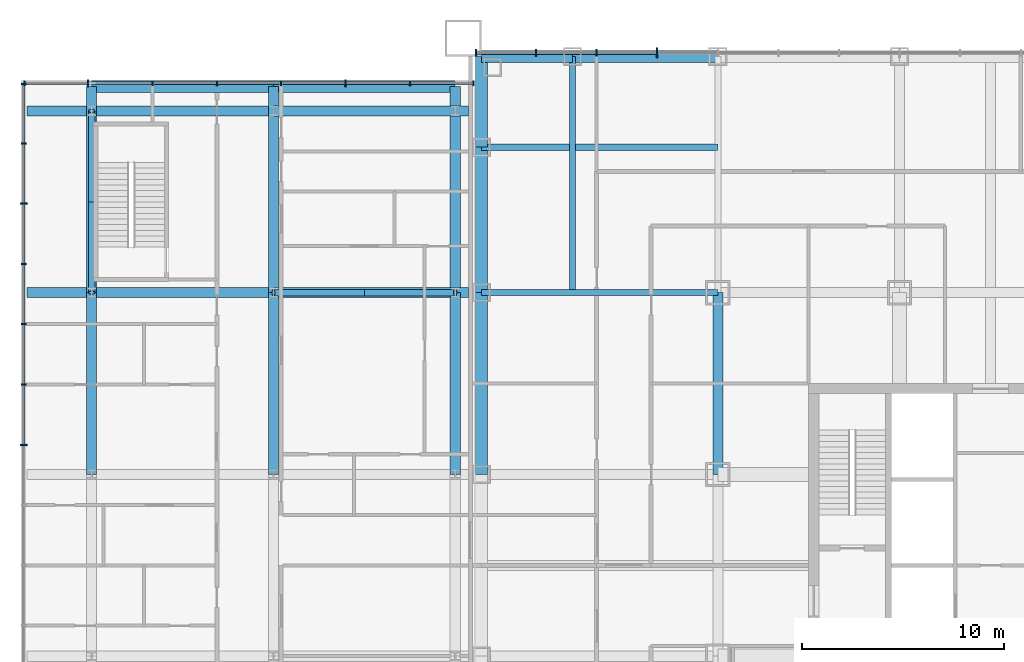
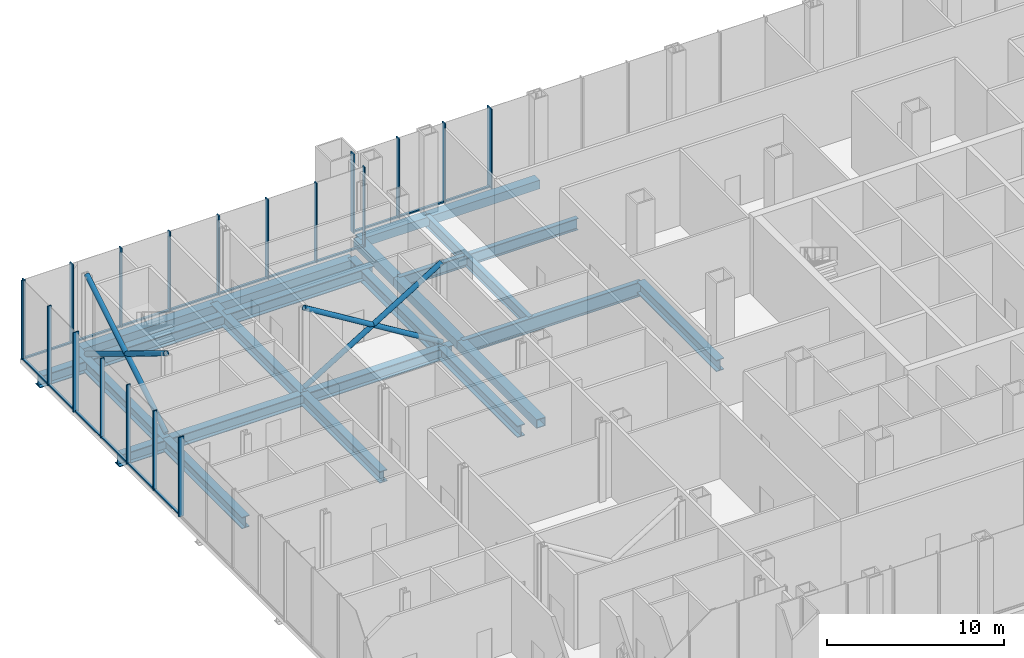
# One storey, part 5 of 25: 39 members, 21 beams, 3 elements without a shape of their own.
"""IFC4 building model written with IfcOpenShell, lengths in metres."""

from ifc_helpers import new_model, si_unit, direction, frame, origin, origin_2d, place, context, subcontext, project, spatial, rectangle, hollow_rectangle, hollow_circle, i_section, extrude, material, layer, layer_set, material_profile, profile_set, type_object, element, aggregate, save


model = new_model("IFC4")

# Units and contexts
model_context = context("Model", 3, precision=1e-05, world=origin(), true_north=direction((0.0, 1.0)))
body_context = subcontext(model_context, "Body", "Model", "MODEL_VIEW")
ifc_project = project(units=[si_unit("LENGTHUNIT", "METRE"), si_unit("AREAUNIT", "SQUARE_METRE"), si_unit("VOLUMEUNIT", "CUBIC_METRE"), si_unit("PLANEANGLEUNIT", "RADIAN"), si_unit("MASSUNIT", "GRAM", prefix="KILO")], contexts=[model_context])

# Site, building, storey
site_placement = place(None, origin())
site = spatial("IfcSite", under=ifc_project, at=site_placement, CompositionType="ELEMENT")
building_placement = place(site_placement, origin())
building = spatial("IfcBuilding", under=site, at=building_placement, Name="Malebo Sky Hospital", CompositionType="ELEMENT")
storey_placement = place(building_placement, frame((0.0, 0.0, 11.0)))
storey = spatial("IfcBuildingStorey", under=building, at=storey_placement, Name="L02", CompositionType="ELEMENT", Elevation=11.0)

# Curtain wall, members
ifc_material_1 = material(Name="Anodised aluminium, natural silver", Category="aluminium")
ifc_layer_1 = layer(ifc_material_1, 0.25)
ifc_layer_set_1 = layer_set([ifc_layer_1], Name="PODIUM CURTAIN WALL")
curtain_wall_type_1 = type_object("IfcCurtainWallType", Name="PODIUM CURTAIN WALL", PredefinedType="NOTDEFINED", material=ifc_layer_set_1)
curtain_wall_1_placement = place(storey_placement, origin())
curtain_wall_1 = element("IfcCurtainWall", 1, at=curtain_wall_1_placement, inside=storey, type_object=curtain_wall_type_1, Name="POD curtain wall WW", PredefinedType="NOTDEFINED")
ifc_material_profile_1 = material_profile(ifc_material_1, rectangle(XDim=0.14990234375, YDim=0.10009765625, at=origin_2d()), Name="ALUMINIUM TRANSOM 150x100")
ifc_profile_set_1 = profile_set([ifc_material_profile_1], Name="Anodised aluminium, natural silver")
member_type_1 = type_object("IfcMemberType", Name="ALUMINIUM TRANSOM 150x100", PredefinedType="USERDEFINED", material=ifc_profile_set_1)
member_1_placement = place(storey_placement, frame((12.125, 85.800048828125, 0.050048828125), z_axis=(0.0, -1.0, 0.0), x_axis=(1.0, 0.0, 0.0)))
member_1 = element("IfcMember", 2, at=member_1_placement, type_object=member_type_1, Name="Transom 1", ObjectType="TRANSOM", PredefinedType="USERDEFINED", context=body_context, shape_type="SweptSolid", body=[
    extrude(rectangle(XDim=0.14990234375, YDim=0.10009765625, at=origin_2d()), origin(), (0.0, 0.0, 1.0), 2.8720703125),
])
member_2_placement = place(storey_placement, frame((12.125, 82.85302734375, 0.050048828125), z_axis=(0.0, -1.0, 0.0), x_axis=(1.0, 0.0, 0.0)))
member_2 = element("IfcMember", 3, at=member_2_placement, type_object=member_type_1, Name="Transom 2", ObjectType="TRANSOM", PredefinedType="USERDEFINED", context=body_context, shape_type="SweptSolid", body=[
    extrude(rectangle(XDim=0.14990234375, YDim=0.10009765625, at=origin_2d()), origin(), (0.0, 0.0, 1.0), 2.909423828125),
])
member_3_placement = place(storey_placement, frame((12.125, 79.86865234375, 0.050048828125), z_axis=(0.0, -1.0, 0.0), x_axis=(1.0, 0.0, 0.0)))
member_3 = element("IfcMember", 4, at=member_3_placement, type_object=member_type_1, Name="Transom 3", ObjectType="TRANSOM", PredefinedType="USERDEFINED", context=body_context, shape_type="SweptSolid", body=[
    extrude(rectangle(XDim=0.14990234375, YDim=0.10009765625, at=origin_2d()), origin(), (0.0, 0.0, 1.0), 2.9091796875),
])
member_4_placement = place(storey_placement, frame((12.125, 76.884521484375, 0.050048828125), z_axis=(0.0, -1.0, 0.0), x_axis=(1.0, 0.0, 0.0)))
member_4 = element("IfcMember", 5, at=member_4_placement, type_object=member_type_1, Name="Transom 4", ObjectType="TRANSOM", PredefinedType="USERDEFINED", context=body_context, shape_type="SweptSolid", body=[
    extrude(rectangle(XDim=0.14990234375, YDim=0.10009765625, at=origin_2d()), origin(), (0.0, 0.0, 1.0), 2.909423828125),
])
member_5_placement = place(storey_placement, frame((12.125, 73.89990234375, 0.050048828125), z_axis=(0.0, -1.0, 0.0), x_axis=(1.0, 0.0, 0.0)))
member_5 = element("IfcMember", 6, at=member_5_placement, type_object=member_type_1, Name="Transom 5", ObjectType="TRANSOM", PredefinedType="USERDEFINED", context=body_context, shape_type="SweptSolid", body=[
    extrude(rectangle(XDim=0.14990234375, YDim=0.10009765625, at=origin_2d()), origin(), (0.0, 0.0, 1.0), 2.909423828125),
])
member_6_placement = place(storey_placement, frame((12.125, 70.91552734375, 0.050048828125), z_axis=(0.0, -1.0, 0.0), x_axis=(1.0, 0.0, 0.0)))
member_6 = element("IfcMember", 7, at=member_6_placement, type_object=member_type_1, Name="Transom 6", ObjectType="TRANSOM", PredefinedType="USERDEFINED", context=body_context, shape_type="SweptSolid", body=[
    extrude(rectangle(XDim=0.14990234375, YDim=0.10009765625, at=origin_2d()), origin(), (0.0, 0.0, 1.0), 2.9091796875),
])

curtain_wall_2_placement = place(storey_placement, origin())
curtain_wall_2 = element("IfcCurtainWall", 8, at=curtain_wall_2_placement, inside=storey, type_object=curtain_wall_type_1, Name="POD curtain wall WN", PredefinedType="NOTDEFINED")
member_7_placement = place(storey_placement, frame((34.375, 85.875, 0.050048828125), z_axis=(-1.0, 0.0, 0.0), x_axis=(0.0, -1.0, 0.0)))
member_7 = element("IfcMember", 9, at=member_7_placement, type_object=member_type_1, Name="Transom 1", ObjectType="TRANSOM", PredefinedType="USERDEFINED", context=body_context, shape_type="SweptSolid", body=[
    extrude(rectangle(XDim=0.14990234375, YDim=0.10009765625, at=origin_2d()), origin(), (0.0, 0.0, 1.0), 3.076904296875),
])
member_8_placement = place(storey_placement, frame((31.22314453125, 85.875, 0.050048828125), z_axis=(-1.0, 0.0, 0.0), x_axis=(0.0, -1.0, 0.0)))
member_8 = element("IfcMember", 10, at=member_8_placement, type_object=member_type_1, Name="Transom 2", ObjectType="TRANSOM", PredefinedType="USERDEFINED", context=body_context, shape_type="SweptSolid", body=[
    extrude(rectangle(XDim=0.14990234375, YDim=0.10009765625, at=origin_2d()), origin(), (0.0, 0.0, 1.0), 3.1142578125),
])
member_9_placement = place(storey_placement, frame((28.033935546875, 85.875, 0.050048828125), z_axis=(-1.0, 0.0, 0.0), x_axis=(0.0, -1.0, 0.0)))
member_9 = element("IfcMember", 11, at=member_9_placement, type_object=member_type_1, Name="Transom 3", ObjectType="TRANSOM", PredefinedType="USERDEFINED", context=body_context, shape_type="SweptSolid", body=[
    extrude(rectangle(XDim=0.14990234375, YDim=0.10009765625, at=origin_2d()), origin(), (0.0, 0.0, 1.0), 3.1142578125),
])
member_10_placement = place(storey_placement, frame((24.844482421875, 85.875, 0.050048828125), z_axis=(-1.0, 0.0, 0.0), x_axis=(0.0, -1.0, 0.0)))
member_10 = element("IfcMember", 12, at=member_10_placement, type_object=member_type_1, Name="Transom 4", ObjectType="TRANSOM", PredefinedType="USERDEFINED", context=body_context, shape_type="SweptSolid", body=[
    extrude(rectangle(XDim=0.14990234375, YDim=0.10009765625, at=origin_2d()), origin(), (0.0, 0.0, 1.0), 3.114013671875),
])
member_11_placement = place(storey_placement, frame((21.655517578125, 85.875, 0.050048828125), z_axis=(-1.0, 0.0, 0.0), x_axis=(0.0, -1.0, 0.0)))
member_11 = element("IfcMember", 13, at=member_11_placement, type_object=member_type_1, Name="Transom 5", ObjectType="TRANSOM", PredefinedType="USERDEFINED", context=body_context, shape_type="SweptSolid", body=[
    extrude(rectangle(XDim=0.14990234375, YDim=0.10009765625, at=origin_2d()), origin(), (0.0, 0.0, 1.0), 3.114501953125),
])
member_12_placement = place(storey_placement, frame((18.466064453125, 85.875, 0.050048828125), z_axis=(-1.0, 0.0, 0.0), x_axis=(0.0, -1.0, 0.0)))
member_12 = element("IfcMember", 14, at=member_12_placement, type_object=member_type_1, Name="Transom 6", ObjectType="TRANSOM", PredefinedType="USERDEFINED", context=body_context, shape_type="SweptSolid", body=[
    extrude(rectangle(XDim=0.14990234375, YDim=0.10009765625, at=origin_2d()), origin(), (0.0, 0.0, 1.0), 3.1142578125),
])
member_13_placement = place(storey_placement, frame((15.27685546875, 85.875, 0.050048828125), z_axis=(-1.0, 0.0, 0.0), x_axis=(0.0, -1.0, 0.0)))
member_13 = element("IfcMember", 15, at=member_13_placement, type_object=member_type_1, Name="Transom 7", ObjectType="TRANSOM", PredefinedType="USERDEFINED", context=body_context, shape_type="SweptSolid", body=[
    extrude(rectangle(XDim=0.14990234375, YDim=0.10009765625, at=origin_2d()), origin(), (0.0, 0.0, 1.0), 3.076904296875),
])

ifc_layer_2 = layer(ifc_material_1, 0.25)
ifc_layer_set_2 = layer_set([ifc_layer_2], Name="PODIUM ENTRANCE BAY CURTAIN WALL")
curtain_wall_type_2 = type_object("IfcCurtainWallType", Name="PODIUM ENTRANCE BAY CURTAIN WALL", PredefinedType="NOTDEFINED", material=ifc_layer_set_2)
curtain_wall_3_placement = place(storey_placement, origin())
curtain_wall_3 = element("IfcCurtainWall", 16, at=curtain_wall_3_placement, inside=storey, type_object=curtain_wall_type_2, Name="BAY curtain wall BN", PredefinedType="NOTDEFINED")
member_14_placement = place(storey_placement, frame((43.46240234375, 87.375, 0.050048828125), z_axis=(-1.0, 0.0, 0.0), x_axis=(0.0, -1.0, 0.0)))
member_14 = element("IfcMember", 17, at=member_14_placement, type_object=member_type_1, Name="Transom 15", ObjectType="TRANSOM", PredefinedType="USERDEFINED", context=body_context, shape_type="SweptSolid", body=[
    extrude(rectangle(XDim=0.14990234375, YDim=0.10009765625, at=origin_2d()), origin(), (0.0, 0.0, 1.0), 2.9248046875),
])
member_15_placement = place(storey_placement, frame((40.46240234375, 87.375, 0.050048828125), z_axis=(-1.0, 0.0, 0.0), x_axis=(0.0, -1.0, 0.0)))
member_15 = element("IfcMember", 18, at=member_15_placement, type_object=member_type_1, Name="Transom 16", ObjectType="TRANSOM", PredefinedType="USERDEFINED", context=body_context, shape_type="SweptSolid", body=[
    extrude(rectangle(XDim=0.14990234375, YDim=0.10009765625, at=origin_2d()), origin(), (0.0, 0.0, 1.0), 2.9248046875),
])
member_16_placement = place(storey_placement, frame((37.46240234375, 87.375, 0.050048828125), z_axis=(-1.0, 0.0, 0.0), x_axis=(0.0, -1.0, 0.0)))
member_16 = element("IfcMember", 19, at=member_16_placement, type_object=member_type_1, Name="Transom 17", ObjectType="TRANSOM", PredefinedType="USERDEFINED", context=body_context, shape_type="SweptSolid", body=[
    extrude(rectangle(XDim=0.14990234375, YDim=0.10009765625, at=origin_2d()), origin(), (0.0, 0.0, 1.0), 2.887451171875),
])

# Member
ifc_material_profile_2 = material_profile(ifc_material_1, rectangle(XDim=0.074951171875, YDim=0.25, at=origin_2d()), Name="CW3 ALUMINIUM FIN MULLION 75x250")
ifc_profile_set_2 = profile_set([ifc_material_profile_2], Name="Anodised aluminium, natural silver")
member_type_2 = type_object("IfcMemberType", Name="CW3 ALUMINIUM FIN MULLION 75x250", PredefinedType="MULLION", material=ifc_profile_set_2)
member_17_placement = place(storey_placement, frame((12.125, 85.83740234375, 0.0), z_axis=(0.0, 0.0, 1.0), x_axis=(0.0, -1.0, 0.0)))
member_17 = element("IfcMember", 20, at=member_17_placement, type_object=member_type_2, Name="Fin mullion 1", PredefinedType="MULLION", context=body_context, shape_type="SweptSolid", body=[
    extrude(rectangle(XDim=0.074951171875, YDim=0.25, at=origin_2d()), origin(), (0.0, 0.0, 1.0), 5.5),
])

member_18_placement = place(storey_placement, frame((12.125, 82.890625, 0.0), z_axis=(0.0, 0.0, 1.0), x_axis=(0.0, -1.0, 0.0)))
member_18 = element("IfcMember", 21, at=member_18_placement, type_object=member_type_2, Name="Fin mullion 2", PredefinedType="MULLION", context=body_context, shape_type="SweptSolid", body=[
    extrude(rectangle(XDim=0.074951171875, YDim=0.25, at=origin_2d()), origin(), (0.0, 0.0, 1.0), 5.5),
])

member_19_placement = place(storey_placement, frame((12.125, 76.921875, 0.0), z_axis=(0.0, 0.0, 1.0), x_axis=(0.0, -1.0, 0.0)))
member_19 = element("IfcMember", 22, at=member_19_placement, type_object=member_type_2, Name="Fin mullion 4", PredefinedType="MULLION", context=body_context, shape_type="SweptSolid", body=[
    extrude(rectangle(XDim=0.074951171875, YDim=0.25, at=origin_2d()), origin(), (0.0, 0.0, 1.0), 5.5),
])

member_20_placement = place(storey_placement, frame((12.125, 73.9375, 0.0), z_axis=(0.0, 0.0, 1.0), x_axis=(0.0, -1.0, 0.0)))
member_20 = element("IfcMember", 23, at=member_20_placement, type_object=member_type_2, Name="Fin mullion 5", PredefinedType="MULLION", context=body_context, shape_type="SweptSolid", body=[
    extrude(rectangle(XDim=0.074951171875, YDim=0.25, at=origin_2d()), origin(), (0.0, 0.0, 1.0), 5.5),
])

member_21_placement = place(storey_placement, frame((12.125, 70.953125, 0.0), z_axis=(0.0, 0.0, 1.0), x_axis=(0.0, -1.0, 0.0)))
member_21 = element("IfcMember", 24, at=member_21_placement, type_object=member_type_2, Name="Fin mullion 6", PredefinedType="MULLION", context=body_context, shape_type="SweptSolid", body=[
    extrude(rectangle(XDim=0.074951171875, YDim=0.25, at=origin_2d()), origin(), (0.0, 0.0, 1.0), 5.5),
])

member_22_placement = place(storey_placement, frame((34.41259765625, 85.875, 0.0), z_axis=(0.0, 0.0, 1.0), x_axis=(-1.0, 0.0, 0.0)))
member_22 = element("IfcMember", 25, at=member_22_placement, type_object=member_type_2, Name="Fin mullion 1", PredefinedType="MULLION", context=body_context, shape_type="SweptSolid", body=[
    extrude(rectangle(XDim=0.074951171875, YDim=0.25, at=origin_2d()), origin(), (0.0, 0.0, 1.0), 5.5),
])

member_23_placement = place(storey_placement, frame((31.2607421875, 85.875, 0.0), z_axis=(0.0, 0.0, 1.0), x_axis=(-1.0, 0.0, 0.0)))
member_23 = element("IfcMember", 26, at=member_23_placement, type_object=member_type_2, Name="Fin mullion 2", PredefinedType="MULLION", context=body_context, shape_type="SweptSolid", body=[
    extrude(rectangle(XDim=0.074951171875, YDim=0.25, at=origin_2d()), origin(), (0.0, 0.0, 1.0), 5.5),
])

member_24_placement = place(storey_placement, frame((24.882080078125, 85.875, 0.0), z_axis=(0.0, 0.0, 1.0), x_axis=(-1.0, 0.0, 0.0)))
member_24 = element("IfcMember", 27, at=member_24_placement, type_object=member_type_2, Name="Fin mullion 4", PredefinedType="MULLION", context=body_context, shape_type="SweptSolid", body=[
    extrude(rectangle(XDim=0.074951171875, YDim=0.25, at=origin_2d()), origin(), (0.0, 0.0, 1.0), 5.5),
])

member_25_placement = place(storey_placement, frame((21.69287109375, 85.875, 0.0), z_axis=(0.0, 0.0, 1.0), x_axis=(-1.0, 0.0, 0.0)))
member_25 = element("IfcMember", 28, at=member_25_placement, type_object=member_type_2, Name="Fin mullion 5", PredefinedType="MULLION", context=body_context, shape_type="SweptSolid", body=[
    extrude(rectangle(XDim=0.074951171875, YDim=0.25, at=origin_2d()), origin(), (0.0, 0.0, 1.0), 5.5),
])

member_26_placement = place(storey_placement, frame((18.503662109375, 85.875, 0.0), z_axis=(0.0, 0.0, 1.0), x_axis=(-1.0, 0.0, 0.0)))
member_26 = element("IfcMember", 29, at=member_26_placement, type_object=member_type_2, Name="Fin mullion 6", PredefinedType="MULLION", context=body_context, shape_type="SweptSolid", body=[
    extrude(rectangle(XDim=0.074951171875, YDim=0.25, at=origin_2d()), origin(), (0.0, 0.0, 1.0), 5.5),
])

member_27_placement = place(storey_placement, frame((12.16259765625, 85.875, 0.0), z_axis=(0.0, 0.0, 1.0), x_axis=(-1.0, 0.0, 0.0)))
member_27 = element("IfcMember", 30, at=member_27_placement, type_object=member_type_2, Name="Fin mullion 8", PredefinedType="MULLION", context=body_context, shape_type="SweptSolid", body=[
    extrude(rectangle(XDim=0.074951171875, YDim=0.25, at=origin_2d()), origin(), (0.0, 0.0, 1.0), 5.5),
])

ifc_material_profile_3 = material_profile(ifc_material_1, rectangle(XDim=0.074951171875, YDim=0.35009765625, at=origin_2d()), Name="CW3 ALUMINIUM FIN MULLION 75x350")
ifc_profile_set_3 = profile_set([ifc_material_profile_3], Name="Anodised aluminium, natural silver")
member_type_3 = type_object("IfcMemberType", Name="CW3 ALUMINIUM FIN MULLION 75x350", PredefinedType="MULLION", material=ifc_profile_set_3)
member_28_placement = place(storey_placement, frame((12.125, 79.90625, 0.0), z_axis=(0.0, 0.0, 1.0), x_axis=(0.0, -1.0, 0.0)))
member_28 = element("IfcMember", 31, at=member_28_placement, type_object=member_type_3, Name="Fin mullion 3", PredefinedType="MULLION", context=body_context, shape_type="SweptSolid", body=[
    extrude(rectangle(XDim=0.074951171875, YDim=0.35009765625, at=origin_2d()), origin(), (0.0, 0.0, 1.0), 5.5),
])

member_29_placement = place(storey_placement, frame((12.125, 67.96875, 0.0), z_axis=(0.0, 0.0, 1.0), x_axis=(0.0, -1.0, 0.0)))
member_29 = element("IfcMember", 32, at=member_29_placement, type_object=member_type_3, Name="Fin mullion 7", PredefinedType="MULLION", context=body_context, shape_type="SweptSolid", body=[
    extrude(rectangle(XDim=0.074951171875, YDim=0.35009765625, at=origin_2d()), origin(), (0.0, 0.0, 1.0), 5.5),
])

aggregate(curtain_wall_1, [member_17, member_18, member_28, member_19, member_20, member_21, member_29, member_1, member_2, member_3, member_4, member_5, member_6])

member_30_placement = place(storey_placement, frame((28.0712890625, 85.875, 0.0), z_axis=(0.0, 0.0, 1.0), x_axis=(-1.0, 0.0, 0.0)))
member_30 = element("IfcMember", 33, at=member_30_placement, type_object=member_type_3, Name="Fin mullion 3", PredefinedType="MULLION", context=body_context, shape_type="SweptSolid", body=[
    extrude(rectangle(XDim=0.074951171875, YDim=0.35009765625, at=origin_2d()), origin(), (0.0, 0.0, 1.0), 5.5),
])

member_31_placement = place(storey_placement, frame((15.314208984375, 85.875, 0.0), z_axis=(0.0, 0.0, 1.0), x_axis=(-1.0, 0.0, 0.0)))
member_31 = element("IfcMember", 34, at=member_31_placement, type_object=member_type_3, Name="Fin mullion 7", PredefinedType="MULLION", context=body_context, shape_type="SweptSolid", body=[
    extrude(rectangle(XDim=0.074951171875, YDim=0.35009765625, at=origin_2d()), origin(), (0.0, 0.0, 1.0), 5.5),
])

aggregate(curtain_wall_2, [member_22, member_23, member_30, member_24, member_25, member_26, member_31, member_27, member_7, member_8, member_9, member_10, member_11, member_12, member_13])

ifc_material_profile_4 = material_profile(ifc_material_1, rectangle(XDim=0.074951171875, YDim=0.35009765625, at=origin_2d()), Name="CW4 ALUMINIUM FIN MULLION 75x350")
ifc_profile_set_4 = profile_set([ifc_material_profile_4], Name="Anodised aluminium, natural silver")
member_type_4 = type_object("IfcMemberType", Name="CW4 ALUMINIUM FIN MULLION 75x350", PredefinedType="MULLION", material=ifc_profile_set_4)
member_32_placement = place(storey_placement, frame((40.5, 87.375, 0.0), z_axis=(0.0, 0.0, 1.0), x_axis=(-1.0, 0.0, 0.0)))
member_32 = element("IfcMember", 35, at=member_32_placement, type_object=member_type_4, Name="Fin mullion 16", PredefinedType="MULLION", context=body_context, shape_type="SweptSolid", body=[
    extrude(rectangle(XDim=0.074951171875, YDim=0.35009765625, at=origin_2d()), origin(), (0.0, 0.0, 1.0), 5.5),
])

member_33_placement = place(storey_placement, frame((37.5, 87.375, 0.0), z_axis=(0.0, 0.0, 1.0), x_axis=(-1.0, 0.0, 0.0)))
member_33 = element("IfcMember", 36, at=member_33_placement, type_object=member_type_4, Name="Fin mullion 17", PredefinedType="MULLION", context=body_context, shape_type="SweptSolid", body=[
    extrude(rectangle(XDim=0.074951171875, YDim=0.35009765625, at=origin_2d()), origin(), (0.0, 0.0, 1.0), 5.5),
])

member_34_placement = place(storey_placement, frame((34.53759765625, 87.375, 0.0), z_axis=(0.0, 0.0, 1.0), x_axis=(-1.0, 0.0, 0.0)))
member_34 = element("IfcMember", 37, at=member_34_placement, type_object=member_type_4, Name="Fin mullion 18", PredefinedType="MULLION", context=body_context, shape_type="SweptSolid", body=[
    extrude(rectangle(XDim=0.074951171875, YDim=0.35009765625, at=origin_2d()), origin(), (0.0, 0.0, 1.0), 5.5),
])

ifc_material_profile_5 = material_profile(ifc_material_1, rectangle(XDim=0.074951171875, YDim=0.5, at=origin_2d()), Name="CW4 ALUMINIUM FIN MULLION 75x500")
ifc_profile_set_5 = profile_set([ifc_material_profile_5], Name="Anodised aluminium, natural silver")
member_type_5 = type_object("IfcMemberType", Name="CW4 ALUMINIUM FIN MULLION 75x500", PredefinedType="MULLION", material=ifc_profile_set_5)
member_35_placement = place(storey_placement, frame((43.5, 87.375, 0.0), z_axis=(0.0, 0.0, 1.0), x_axis=(-1.0, 0.0, 0.0)))
member_35 = element("IfcMember", 38, at=member_35_placement, type_object=member_type_5, Name="Fin mullion 15", PredefinedType="MULLION", context=body_context, shape_type="SweptSolid", body=[
    extrude(rectangle(XDim=0.074951171875, YDim=0.5, at=origin_2d()), origin(), (0.0, 0.0, 1.0), 5.5),
])

aggregate(curtain_wall_3, [member_35, member_32, member_33, member_34, member_14, member_15, member_16])

# Beams
ifc_material_2 = material(Name="Steel S460", Category="steel")
ifc_material_profile_6 = material_profile(ifc_material_2, hollow_rectangle(XDim=0.60009765625, YDim=0.60009765625, WallThickness=0.0400390625, at=origin_2d()), Name="BOX 600x600x40")
ifc_profile_set_6 = profile_set([ifc_material_profile_6], Name="Steel S460")
beam_type_1 = type_object("IfcBeamType", Name="EDGE BEAM BOX 600x600x40", PredefinedType="BEAM", material=ifc_profile_set_6)
beam_1_placement = place(storey_placement, frame((34.800048828125, 66.5, -0.60009765625), z_axis=(0.0, 1.0, 0.0), x_axis=(-1.0, 0.0, 0.0)))
element("IfcBeam", 39, at=beam_1_placement, inside=storey, type_object=beam_type_1, Name="Beam 004 L02", PredefinedType="BEAM", context=body_context, shape_type="SweptSolid", body=[
    extrude(hollow_rectangle(XDim=0.60009765625, YDim=0.60009765625, WallThickness=0.0400390625, at=origin_2d()), origin(), (0.0, 0.0, 1.0), 9.0),
])
beam_2_placement = place(storey_placement, frame((34.800048828125, 75.5, -0.60009765625), z_axis=(0.0, 1.0, 0.0), x_axis=(-1.0, 0.0, 0.0)))
element("IfcBeam", 40, at=beam_2_placement, inside=storey, type_object=beam_type_1, Name="Beam 005 L02", PredefinedType="BEAM", context=body_context, shape_type="SweptSolid", body=[
    extrude(hollow_rectangle(XDim=0.60009765625, YDim=0.60009765625, WallThickness=0.0400390625, at=origin_2d()), origin(), (0.0, 0.0, 1.0), 7.199951171875),
])
for number, where, z_axis, x_axis, name in (
    (41, (34.800048828125, 82.699951171875, -0.60009765625), (0.0, 1.0, 0.0), (-1.0, 0.0, 0.0), "Beam 006 L02"),
    (42, (34.800048828125, 87.199951171875, -0.60009765625), (1.0, 0.0, 0.0), (0.0, 1.0, 0.0), "Beam 069 L02"),
):
    element("IfcBeam", number, at=place(storey_placement, frame(where, z_axis=z_axis, x_axis=x_axis)), inside=storey, type_object=beam_type_1, Name=name, PredefinedType="BEAM", context=body_context, shape_type="SweptSolid", body=[
        extrude(hollow_rectangle(XDim=0.60009765625, YDim=0.60009765625, WallThickness=0.0400390625, at=origin_2d()), origin(), (0.0, 0.0, 1.0), 4.5),
    ])
beam_3_placement = place(storey_placement, frame((39.300048828125, 87.199951171875, -0.60009765625), z_axis=(1.0, 0.0, 0.0), x_axis=(0.0, 1.0, 0.0)))
element("IfcBeam", 43, at=beam_3_placement, inside=storey, type_object=beam_type_1, Name="Beam 070 L02", PredefinedType="BEAM", context=body_context, shape_type="SweptSolid", body=[
    extrude(hollow_rectangle(XDim=0.60009765625, YDim=0.60009765625, WallThickness=0.0400390625, at=origin_2d()), origin(), (0.0, 0.0, 1.0), 7.199951171875),
])
for number, where, z_axis, x_axis, name in (
    (44, (15.5, 85.699951171875, -0.60009765625), (1.0, 0.0, 0.0), (0.0, 1.0, 0.0), "Beam W030 L02"),
    (45, (24.5, 85.699951171875, -0.60009765625), (1.0, 0.0, 0.0), (0.0, 1.0, 0.0), "Beam W031 L02"),
):
    element("IfcBeam", number, at=place(storey_placement, frame(where, z_axis=z_axis, x_axis=x_axis)), inside=storey, type_object=beam_type_1, Name=name, PredefinedType="BEAM", context=body_context, shape_type="SweptSolid", body=[
        extrude(hollow_rectangle(XDim=0.60009765625, YDim=0.60009765625, WallThickness=0.0400390625, at=origin_2d()), origin(), (0.0, 0.0, 1.0), 9.0),
    ])
ifc_material_3 = material(Name="Steel S355", Category="steel")
ifc_material_profile_7 = material_profile(ifc_material_3, i_section(OverallWidth=0.300048828125, OverallDepth=0.800048828125, WebThickness=0.017578125, FlangeThickness=0.032958984375, FilletRadius=0.030029296875, at=origin_2d()), Name="HEB 800")
ifc_profile_set_7 = profile_set([ifc_material_profile_7], Name="Steel S355")
beam_type_2 = type_object("IfcBeamType", Name="FLOOR BEAM HEB 800", PredefinedType="BEAM", material=ifc_profile_set_7)
for number, where, z_axis, x_axis, name in (
    (46, (39.300048828125, 75.5, -0.699951171875), (0.0, 1.0, 0.0), (-1.0, 0.0, 0.0), "Beam 008 L02"),
    (47, (34.800048828125, 82.699951171875, -0.699951171875), (1.0, 0.0, 0.0), (0.0, 1.0, 0.0), "Beam 067 L02"),
):
    element("IfcBeam", number, at=place(storey_placement, frame(where, z_axis=z_axis, x_axis=x_axis)), inside=storey, type_object=beam_type_2, Name=name, PredefinedType="BEAM", context=body_context, shape_type="SweptSolid", body=[
        extrude(i_section(OverallWidth=0.300048828125, OverallDepth=0.800048828125, WebThickness=0.017578125, FlangeThickness=0.032958984375, FilletRadius=0.030029296875, at=origin_2d()), origin(), (0.0, 0.0, 1.0), 11.699951171875),
    ])
ifc_material_profile_8 = material_profile(ifc_material_3, i_section(OverallWidth=0.5, OverallDepth=0.800048828125, WebThickness=0.030029296875, FlangeThickness=0.050048828125, at=origin_2d()), Name="PG 800x500x30x50")
ifc_profile_set_8 = profile_set([ifc_material_profile_8], Name="Steel S355")
beam_type_3 = type_object("IfcBeamType", Name="FLOOR BEAM PG 800x500x30x50", PredefinedType="BEAM", material=ifc_profile_set_8)
for number, where, z_axis, x_axis, name in (
    (48, (46.5, 66.5, -0.699951171875), (0.0, 1.0, 0.0), (-1.0, 0.0, 0.0), "Beam 012 L02"),
    (49, (15.5, 66.5, -0.699951171875), (0.0, 1.0, 0.0), (-1.0, 0.0, 0.0), "Beam W004 L02"),
):
    element("IfcBeam", number, at=place(storey_placement, frame(where, z_axis=z_axis, x_axis=x_axis)), inside=storey, type_object=beam_type_3, Name=name, PredefinedType="BEAM", context=body_context, shape_type="SweptSolid", body=[
        extrude(i_section(OverallWidth=0.5, OverallDepth=0.800048828125, WebThickness=0.030029296875, FlangeThickness=0.050048828125, at=origin_2d()), origin(), (0.0, 0.0, 1.0), 9.0),
    ])
beam_4_placement = place(storey_placement, frame((15.5, 75.5, -0.699951171875), z_axis=(0.0, 1.0, 0.0), x_axis=(-1.0, 0.0, 0.0)))
element("IfcBeam", 50, at=beam_4_placement, inside=storey, type_object=beam_type_3, Name="Beam W005 L02", PredefinedType="BEAM", context=body_context, shape_type="SweptSolid", body=[
    extrude(i_section(OverallWidth=0.5, OverallDepth=0.800048828125, WebThickness=0.030029296875, FlangeThickness=0.050048828125, at=origin_2d()), origin(), (0.0, 0.0, 1.0), 10.199951171875),
])
beam_5_placement = place(storey_placement, frame((24.5, 66.5, -0.699951171875), z_axis=(0.0, 1.0, 0.0), x_axis=(-1.0, 0.0, 0.0)))
element("IfcBeam", 51, at=beam_5_placement, inside=storey, type_object=beam_type_3, Name="Beam W009 L02", PredefinedType="BEAM", context=body_context, shape_type="SweptSolid", body=[
    extrude(i_section(OverallWidth=0.5, OverallDepth=0.800048828125, WebThickness=0.030029296875, FlangeThickness=0.050048828125, at=origin_2d()), origin(), (0.0, 0.0, 1.0), 9.0),
])
beam_6_placement = place(storey_placement, frame((24.5, 75.5, -0.699951171875), z_axis=(0.0, 1.0, 0.0), x_axis=(-1.0, 0.0, 0.0)))
element("IfcBeam", 52, at=beam_6_placement, inside=storey, type_object=beam_type_3, Name="Beam W010 L02", PredefinedType="BEAM", context=body_context, shape_type="SweptSolid", body=[
    extrude(i_section(OverallWidth=0.5, OverallDepth=0.800048828125, WebThickness=0.030029296875, FlangeThickness=0.050048828125, at=origin_2d()), origin(), (0.0, 0.0, 1.0), 10.199951171875),
])
beam_7_placement = place(storey_placement, frame((33.5, 66.5, -0.699951171875), z_axis=(0.0, 1.0, 0.0), x_axis=(-1.0, 0.0, 0.0)))
element("IfcBeam", 53, at=beam_7_placement, inside=storey, type_object=beam_type_3, Name="Beam W014 L02", PredefinedType="BEAM", context=body_context, shape_type="SweptSolid", body=[
    extrude(i_section(OverallWidth=0.5, OverallDepth=0.800048828125, WebThickness=0.030029296875, FlangeThickness=0.050048828125, at=origin_2d()), origin(), (0.0, 0.0, 1.0), 9.0),
])
beam_8_placement = place(storey_placement, frame((33.5, 75.5, -0.699951171875), z_axis=(0.0, 1.0, 0.0), x_axis=(-1.0, 0.0, 0.0)))
element("IfcBeam", 54, at=beam_8_placement, inside=storey, type_object=beam_type_3, Name="Beam W015 L02", PredefinedType="BEAM", context=body_context, shape_type="SweptSolid", body=[
    extrude(i_section(OverallWidth=0.5, OverallDepth=0.800048828125, WebThickness=0.030029296875, FlangeThickness=0.050048828125, at=origin_2d()), origin(), (0.0, 0.0, 1.0), 10.199951171875),
])
beam_9_placement = place(storey_placement, frame((12.300048828125, 75.5, -0.699951171875), z_axis=(1.0, 0.0, 0.0), x_axis=(0.0, 1.0, 0.0)))
element("IfcBeam", 55, at=beam_9_placement, inside=storey, type_object=beam_type_3, Name="Beam W024 L02", PredefinedType="BEAM", context=body_context, shape_type="SweptSolid", body=[
    extrude(i_section(OverallWidth=0.5, OverallDepth=0.800048828125, WebThickness=0.030029296875, FlangeThickness=0.050048828125, at=origin_2d()), origin(), (0.0, 0.0, 1.0), 12.199951171875),
])
beam_10_placement = place(storey_placement, frame((24.5, 75.5, -0.699951171875), z_axis=(1.0, 0.0, 0.0), x_axis=(0.0, 1.0, 0.0)))
element("IfcBeam", 56, at=beam_10_placement, inside=storey, type_object=beam_type_3, Name="Beam W025 L02", PredefinedType="BEAM", context=body_context, shape_type="SweptSolid", body=[
    extrude(i_section(OverallWidth=0.5, OverallDepth=0.800048828125, WebThickness=0.030029296875, FlangeThickness=0.050048828125, at=origin_2d()), origin(), (0.0, 0.0, 1.0), 9.64990234375),
])
beam_11_placement = place(storey_placement, frame((12.300048828125, 84.5, -0.699951171875), z_axis=(1.0, 0.0, 0.0), x_axis=(0.0, 1.0, 0.0)))
element("IfcBeam", 57, at=beam_11_placement, inside=storey, type_object=beam_type_3, Name="Beam W026 L02", PredefinedType="BEAM", context=body_context, shape_type="SweptSolid", body=[
    extrude(i_section(OverallWidth=0.5, OverallDepth=0.800048828125, WebThickness=0.030029296875, FlangeThickness=0.050048828125, at=origin_2d()), origin(), (0.0, 0.0, 1.0), 12.199951171875),
])
beam_12_placement = place(storey_placement, frame((24.5, 84.5, -0.699951171875), z_axis=(1.0, 0.0, 0.0), x_axis=(0.0, 1.0, 0.0)))
element("IfcBeam", 58, at=beam_12_placement, inside=storey, type_object=beam_type_3, Name="Beam W027 L02", PredefinedType="BEAM", context=body_context, shape_type="SweptSolid", body=[
    extrude(i_section(OverallWidth=0.5, OverallDepth=0.800048828125, WebThickness=0.030029296875, FlangeThickness=0.050048828125, at=origin_2d()), origin(), (0.0, 0.0, 1.0), 9.64990234375),
])
ifc_material_profile_9 = material_profile(ifc_material_3, i_section(OverallWidth=0.300048828125, OverallDepth=1.0, WebThickness=0.01904296875, FlangeThickness=0.035888671875, FilletRadius=0.030029296875, at=origin_2d()), Name="HEB 1000")
ifc_profile_set_9 = profile_set([ifc_material_profile_9], Name="Steel S355")
beam_type_4 = type_object("IfcBeamType", Name="FLOOR GIRDER HEB 1000", PredefinedType="BEAM", material=ifc_profile_set_9)
beam_13_placement = place(storey_placement, frame((34.800048828125, 75.5, -0.800048828125), z_axis=(1.0, 0.0, 0.0), x_axis=(0.0, 1.0, 0.0)))
element("IfcBeam", 59, at=beam_13_placement, inside=storey, type_object=beam_type_4, Name="Beam 062 L02", PredefinedType="BEAM", context=body_context, shape_type="SweptSolid", body=[
    extrude(i_section(OverallWidth=0.300048828125, OverallDepth=1.0, WebThickness=0.01904296875, FlangeThickness=0.035888671875, FilletRadius=0.030029296875, at=origin_2d()), origin(), (0.0, 0.0, 1.0), 11.699951171875),
])

# Members
ifc_material_profile_10 = material_profile(ifc_material_2, hollow_circle(Radius=0.161865234375, WallThickness=0.012451171875, at=origin_2d()), Name="CHS 323.9x12.5")
ifc_profile_set_10 = profile_set([ifc_material_profile_10], Name="Steel S460")
member_type_6 = type_object("IfcMemberType", Name="WING BRACE CHS 323.9x12.5", PredefinedType="BRACE", material=ifc_profile_set_10)
for number, where, z_axis, x_axis, name in (
    (60, (15.5, 75.5, 0.0), (0.0, 0.853281833652, 0.521450009454), (-1.0, 0.0, 0.0), "Wing brace W1.1 L02"),
    (61, (15.5, 84.5, 0.0), (0.0, -0.853281833652, 0.521450009454), (1.0, 0.0, 0.0), "Wing brace W1.2 L02"),
    (62, (24.5, 75.5, 0.0), (0.853281833652, 0.0, 0.521450009454), (0.0, 1.0, 0.0), "Wing brace W3.1 L02"),
    (63, (33.5, 75.5, 0.0), (-0.853281833652, 0.0, 0.521450009454), (0.0, -1.0, 0.0), "Wing brace W3.2 L02"),
):
    element("IfcMember", number, at=place(storey_placement, frame(where, z_axis=z_axis, x_axis=x_axis)), inside=storey, type_object=member_type_6, Name=name, PredefinedType="BRACE", context=body_context, shape_type="SweptSolid", body=[
        extrude(hollow_circle(Radius=0.161865234375, WallThickness=0.012451171875, at=origin_2d()), origin(), (0.0, 0.0, 1.0), 10.547607421875),
    ])

save(model, "model.ifc")
